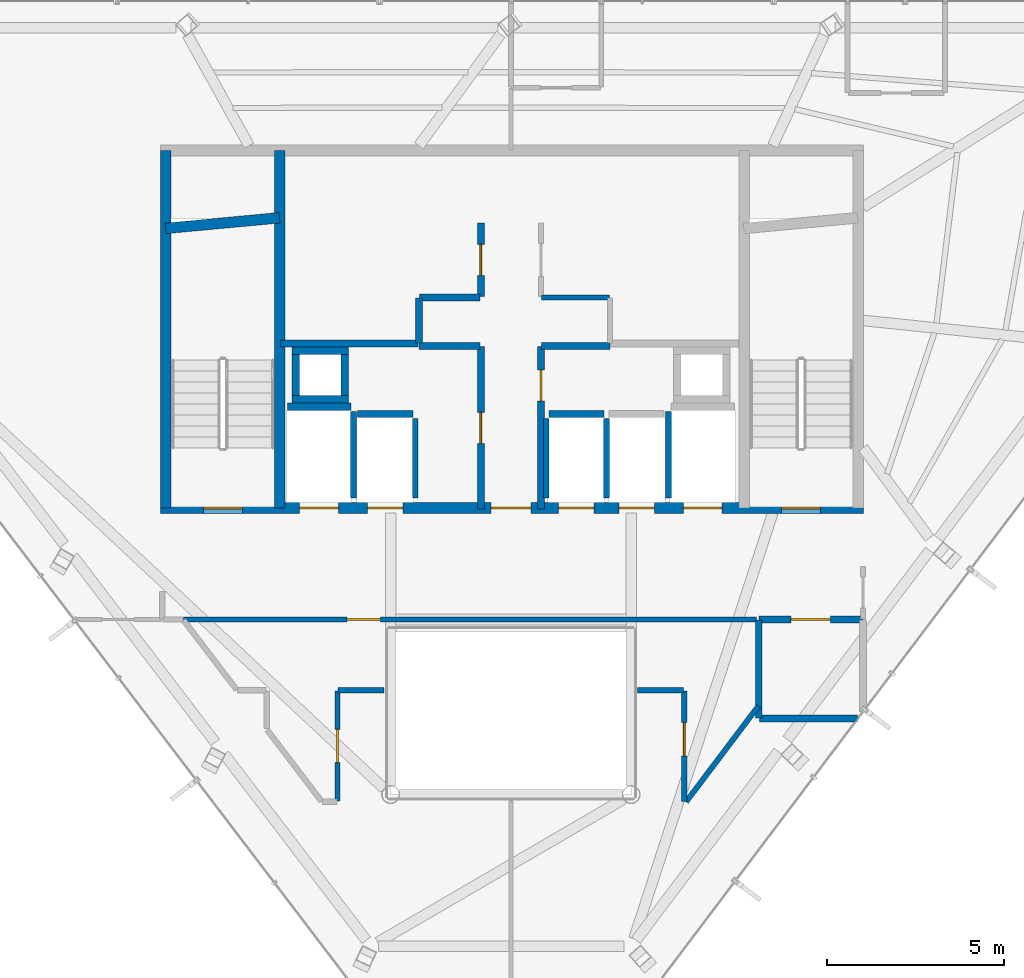
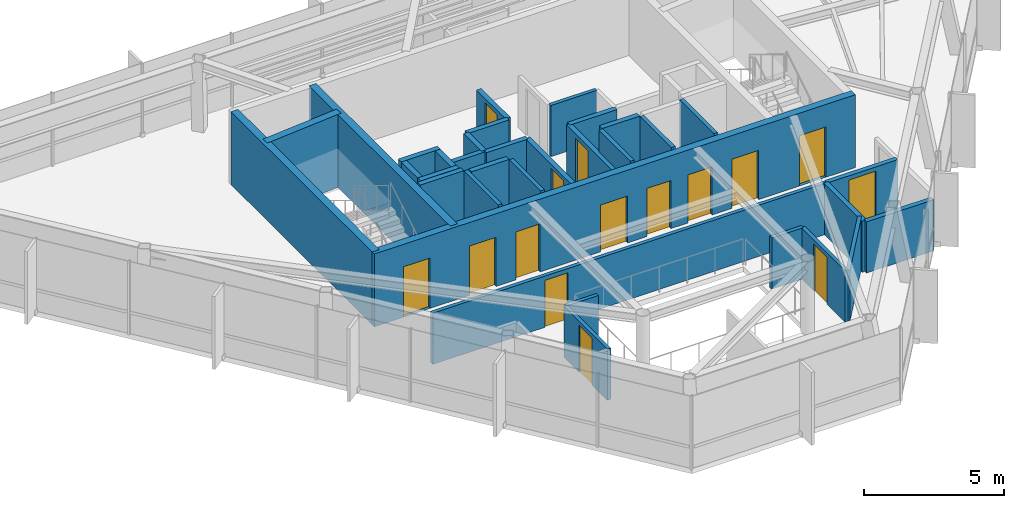
# One storey, part 19 of 21: 34 walls, 15 doors, 15 openings.
"""IFC4 building model written with IfcOpenShell, lengths in metres."""

from ifc_helpers import new_model, si_unit, direction, frame, frame_2d, origin, place, context, subcontext, project, spatial, rectangle, extrude, material, layer, layer_set, type_object, element, fill, save


model = new_model("IFC4")

# Units and contexts
model_context = context("Model", 3, precision=1e-05, world=origin(), true_north=direction((0.0, 1.0)))
body_context = subcontext(model_context, "Body", "Model", "MODEL_VIEW")
ifc_project = project(units=[si_unit("LENGTHUNIT", "METRE"), si_unit("AREAUNIT", "SQUARE_METRE"), si_unit("VOLUMEUNIT", "CUBIC_METRE"), si_unit("PLANEANGLEUNIT", "RADIAN"), si_unit("MASSUNIT", "GRAM", prefix="KILO")], contexts=[model_context])

# Site, building, storey
site_placement = place(None, origin())
site = spatial("IfcSite", under=ifc_project, at=site_placement, CompositionType="ELEMENT")
building_placement = place(site_placement, origin())
building = spatial("IfcBuilding", under=site, at=building_placement, Name="Zarrinselat Tower", CompositionType="ELEMENT")
storey_placement = place(building_placement, frame((0.0, 0.0, 285.60009765625)))
storey = spatial("IfcBuildingStorey", under=building, at=storey_placement, Name="L73", CompositionType="ELEMENT", Elevation=285.60009765625)

# Wall, opening, door
ifc_material_1 = material(Name="Concrete C40/50", Category="concrete")
ifc_layer_1 = layer(ifc_material_1, 0.18994140625)
ifc_layer_set_1 = layer_set([ifc_layer_1], Name="Concrete C40/50")
wall_type_1 = type_object("IfcWallType", Name="WAL-PART-EI120", PredefinedType="PARTITIONING", material=ifc_layer_set_1)
wall_1_placement = place(storey_placement, frame((45.405029296875, 30.14990234375, 0.0), z_axis=(0.0, 0.0, 1.0), x_axis=(1.0, 0.0, 0.0)))
wall_1 = element("IfcWall", 1, at=wall_1_placement, inside=storey, type_object=wall_type_1, Name="L73 Partition Wall 13", PredefinedType="PARTITIONING", context=body_context, shape_type="SweptSolid", body=[
    extrude(rectangle(XDim=2.925048828125, YDim=0.18994140625, at=frame_2d((1.46240234375, 0.0))), origin(), (0.0, 0.0, 1.0), 2.23486328125),
])
opening_1_placement = place(wall_1_placement, frame((0.902587890625, 0.0, 0.0)))
opening_1 = element("IfcOpeningElement", 2, at=opening_1_placement, cuts=wall_1, Name="Opening ID-02", PredefinedType="OPENING", context=body_context, shape_type="SweptSolid", body=[
    extrude(rectangle(XDim=1.1201171875, YDim=2.050048828125, at=frame_2d((0.56005859375, 1.02490234375))), frame((0.0, 0.10498046875, 0.0), z_axis=(0.0, -1.0, 0.0), x_axis=(1.0, 0.0, 0.0)), (0.0, 0.0, 1.0), 0.2099609375),
])
ifc_material_2 = material(Name="Steel S355J2", Category="steel")
door_type_1 = type_object("IfcDoorType", Name="DR-INT-FD60-W", OperationType="NOTDEFINED", PredefinedType="DOOR", material=ifc_material_2)
door_1_placement = place(opening_1_placement, origin())
door_1 = element("IfcDoor", 3, at=door_1_placement, inside=storey, type_object=door_type_1, Name="L73 Interior Door P13", OperationType="SINGLE_SWING_LEFT", OverallHeight=2.050048828125, OverallWidth=1.1201171875, PredefinedType="DOOR", context=body_context, shape_type="SweptSolid", body=[
    extrude(rectangle(XDim=1.1201171875, YDim=2.050048828125, at=frame_2d((0.56005859375, 1.02490234375))), frame((0.0, 0.02490234375, 0.0), z_axis=(0.0, -1.0, 0.0), x_axis=(1.0, 0.0, 0.0)), (0.0, 0.0, 1.0), 0.050048828125),
])
fill(opening_1, door_1)

# Walls
wall_2_placement = place(storey_placement, frame((45.39990234375, 27.3701171875, 0.0), z_axis=(0.0, 0.0, 1.0), x_axis=(0.0, 1.0, 0.0)))
element("IfcWall", 4, at=wall_2_placement, inside=storey, type_object=wall_type_1, Name="L73 Partition Wall 18", PredefinedType="PARTITIONING", context=body_context, shape_type="SweptSolid", body=[
    extrude(rectangle(XDim=2.759765625, YDim=0.18994140625, at=frame_2d((1.3798828125, 0.0))), origin(), (0.0, 0.0, 1.0), 2.23486328125),
])
wall_3_placement = place(storey_placement, frame((45.419921875, 27.35009765625, 0.0), z_axis=(0.0, 0.0, 1.0), x_axis=(1.0, 0.0, 0.0)))
element("IfcWall", 5, at=wall_3_placement, inside=storey, type_object=wall_type_1, Name="L73 Partition Wall 19", PredefinedType="PARTITIONING", context=body_context, shape_type="SweptSolid", body=[
    extrude(rectangle(XDim=2.772216796875, YDim=0.18994140625, at=frame_2d((1.38623046875, 0.0))), origin(), (0.0, 0.0, 1.0), 2.23486328125),
])
ifc_material_3 = material(Name="Fire-Rated Gypsum Board Partition", Category="gypsum")
ifc_layer_2 = layer(ifc_material_3, 0.14990234375)
ifc_layer_set_2 = layer_set([ifc_layer_2], Name="Fire-Rated Gypsum Board Partition")
wall_type_2 = type_object("IfcWallType", Name="WAL-PART-EI60", PredefinedType="PARTITIONING", material=ifc_layer_set_2)
wall_4_placement = place(storey_placement, frame((39.27001953125, 39.25, 0.0), z_axis=(0.0, 0.0, 1.0), x_axis=(1.0, 0.0, 0.0)))
element("IfcWall", 6, at=wall_4_placement, inside=storey, type_object=wall_type_2, Name="L73 Partition Wall 9", PredefinedType="PARTITIONING", context=body_context, shape_type="SweptSolid", body=[
    extrude(rectangle(XDim=1.909912109375, YDim=0.14990234375, at=frame_2d((0.955078125, 0.0))), origin(), (0.0, 0.0, 1.0), 2.23486328125),
])

# Wall, opening, door
wall_5_placement = place(storey_placement, frame((29.141357421875, 30.14990234375, 0.0), z_axis=(0.0, 0.0, 1.0), x_axis=(1.0, 0.0, 0.0)))
wall_5 = element("IfcWall", 7, at=wall_5_placement, inside=storey, type_object=wall_type_2, Name="L73 Partition Wall 14", PredefinedType="PARTITIONING", context=body_context, shape_type="SweptSolid", body=[
    extrude(rectangle(XDim=16.20361328125, YDim=0.14990234375, at=frame_2d((8.101806640625, 0.0))), origin(), (0.0, 0.0, 1.0), 2.23486328125),
])
opening_2_placement = place(wall_5_placement, frame((4.6318359375, 0.0, 0.0)))
opening_2 = element("IfcOpeningElement", 8, at=opening_2_placement, cuts=wall_5, Name="Opening ID-04", PredefinedType="OPENING", context=body_context, shape_type="SweptSolid", body=[
    extrude(rectangle(XDim=0.93994140625, YDim=2.050048828125, at=frame_2d((0.469970703125, 1.02490234375))), frame((0.0, 0.0849609375, 0.0), z_axis=(0.0, -1.0, 0.0), x_axis=(1.0, 0.0, 0.0)), (0.0, 0.0, 1.0), 0.169921875),
])
ifc_material_4 = material(Name="Fire-Rated Gypsum Board Partition")
door_type_2 = type_object("IfcDoorType", Name="DR-INT-FD30-ENT", OperationType="NOTDEFINED", PredefinedType="DOOR", material=ifc_material_4)
door_2_placement = place(opening_2_placement, origin())
door_2 = element("IfcDoor", 9, at=door_2_placement, inside=storey, type_object=door_type_2, Name="L73 Interior Door P14", OperationType="SINGLE_SWING_RIGHT", OverallHeight=2.050048828125, OverallWidth=0.93994140625, PredefinedType="DOOR", context=body_context, shape_type="SweptSolid", body=[
    extrude(rectangle(XDim=0.93994140625, YDim=2.050048828125, at=frame_2d((0.469970703125, 1.02490234375))), frame((0.0, 0.02490234375, 0.0), z_axis=(0.0, -1.0, 0.0), x_axis=(1.0, 0.0, 0.0)), (0.0, 0.0, 1.0), 0.050048828125),
])
fill(opening_2, door_2)

# Wall
wall_6_placement = place(storey_placement, frame((43.351318359375, 25.0, 0.0), z_axis=(0.0, 0.0, 1.0), x_axis=(0.602454578258, 0.798153168969, 0.0)))
element("IfcWall", 10, at=wall_6_placement, inside=storey, type_object=wall_type_2, Name="L73 Partition Wall 21", PredefinedType="PARTITIONING", context=body_context, shape_type="SweptSolid", body=[
    extrude(rectangle(XDim=3.3857421875, YDim=0.14990234375, at=frame_2d((1.69287109375, 0.0))), origin(), (0.0, 0.0, 1.0), 2.23486328125),
])

# Wall, opening, door
wall_7_placement = place(storey_placement, frame((43.300048828125, 25.0, 0.0), z_axis=(0.0, 0.0, 1.0), x_axis=(0.0, 1.0, 0.0)))
wall_7 = element("IfcWall", 11, at=wall_7_placement, inside=storey, type_object=wall_type_2, Name="L73 Partition Wall 22", PredefinedType="PARTITIONING", context=body_context, shape_type="SweptSolid", body=[
    extrude(rectangle(XDim=3.1298828125, YDim=0.14990234375, at=frame_2d((1.56494140625, 0.0))), origin(), (0.0, 0.0, 1.0), 2.23486328125),
])
opening_3_placement = place(wall_7_placement, frame((1.294921875, 0.0, 0.0)))
opening_3 = element("IfcOpeningElement", 12, at=opening_3_placement, cuts=wall_7, Name="Opening ID-04", PredefinedType="OPENING", context=body_context, shape_type="SweptSolid", body=[
    extrude(rectangle(XDim=0.93994140625, YDim=2.050048828125, at=frame_2d((0.469970703125, 1.02490234375))), frame((0.0, 0.0849609375, 0.0), z_axis=(0.0, -1.0, 0.0), x_axis=(1.0, 0.0, 0.0)), (0.0, 0.0, 1.0), 0.169921875),
])
door_3_placement = place(opening_3_placement, origin())
door_3 = element("IfcDoor", 13, at=door_3_placement, inside=storey, type_object=door_type_2, Name="L73 Interior Door P22", OperationType="SINGLE_SWING_RIGHT", OverallHeight=2.050048828125, OverallWidth=0.93994140625, PredefinedType="DOOR", context=body_context, shape_type="SweptSolid", body=[
    extrude(rectangle(XDim=0.93994140625, YDim=2.050048828125, at=frame_2d((0.469970703125, 1.02490234375))), frame((0.0, 0.02490234375, 0.0), z_axis=(0.0, -1.0, 0.0), x_axis=(1.0, 0.0, 0.0)), (0.0, 0.0, 1.0), 0.050048828125),
])
fill(opening_3, door_3)

# Walls
for number, where, z_axis, x_axis, name in (
    (14, (41.97998046875, 28.14990234375, 0.0), (0.0, 0.0, 1.0), (1.0, 0.0, 0.0), "L73 Partition Wall 23"),
    (15, (33.52001953125, 28.14990234375, 0.0), (0.0, 0.0, 1.0), (1.0, 0.0, 0.0), "L73 Partition Wall 24"),
):
    element("IfcWall", number, at=place(storey_placement, frame(where, z_axis=z_axis, x_axis=x_axis)), inside=storey, type_object=wall_type_2, Name=name, PredefinedType="PARTITIONING", context=body_context, shape_type="SweptSolid", body=[
        extrude(rectangle(XDim=1.300048828125, YDim=0.14990234375, at=frame_2d((0.64990234375, 0.0))), origin(), (0.0, 0.0, 1.0), 2.23486328125),
    ])

# Wall, opening, door
wall_8_placement = place(storey_placement, frame((33.5, 25.02001953125, 0.0), z_axis=(0.0, 0.0, 1.0), x_axis=(0.0, 1.0, 0.0)))
wall_8 = element("IfcWall", 16, at=wall_8_placement, inside=storey, type_object=wall_type_2, Name="L73 Partition Wall 25", PredefinedType="PARTITIONING", context=body_context, shape_type="SweptSolid", body=[
    extrude(rectangle(XDim=3.10986328125, YDim=0.14990234375, at=frame_2d((1.554931640625, 0.0))), origin(), (0.0, 0.0, 1.0), 2.23486328125),
])
opening_4_placement = place(wall_8_placement, frame((1.0849609375, 0.0, 0.0)))
opening_4 = element("IfcOpeningElement", 17, at=opening_4_placement, cuts=wall_8, Name="Opening ID-04", PredefinedType="OPENING", context=body_context, shape_type="SweptSolid", body=[
    extrude(rectangle(XDim=0.93994140625, YDim=2.050048828125, at=frame_2d((0.469970703125, 1.02490234375))), frame((0.0, 0.0849609375, 0.0), z_axis=(0.0, -1.0, 0.0), x_axis=(1.0, 0.0, 0.0)), (0.0, 0.0, 1.0), 0.169921875),
])
door_4_placement = place(opening_4_placement, origin())
door_4 = element("IfcDoor", 18, at=door_4_placement, inside=storey, type_object=door_type_2, Name="L73 Interior Door P25", OperationType="SINGLE_SWING_LEFT", OverallHeight=2.050048828125, OverallWidth=0.93994140625, PredefinedType="DOOR", context=body_context, shape_type="SweptSolid", body=[
    extrude(rectangle(XDim=0.93994140625, YDim=2.050048828125, at=frame_2d((0.469970703125, 1.02490234375))), frame((0.0, 0.02490234375, 0.0), z_axis=(0.0, -1.0, 0.0), x_axis=(1.0, 0.0, 0.0)), (0.0, 0.0, 1.0), 0.050048828125),
])
fill(opening_4, door_4)

ifc_material_5 = material(Name="Concrete C40/50", Category="concrete")
ifc_layer_3 = layer(ifc_material_5, 0.199951171875)
ifc_layer_set_3 = layer_set([ifc_layer_3], Name="Concrete C40/50")
wall_type_3 = type_object("IfcWallType", Name="WAL-PART-PLANT", PredefinedType="PARTITIONING", material=ifc_layer_set_3)
wall_9_placement = place(storey_placement, frame((37.550048828125, 33.264892578125, 0.0), z_axis=(0.0, 0.0, 1.0), x_axis=(0.0, 1.0, 0.0)))
wall_9 = element("IfcWall", 19, at=wall_9_placement, inside=storey, type_object=wall_type_3, Name="L73 Partition Wall 1", PredefinedType="PARTITIONING", context=body_context, shape_type="SweptSolid", body=[
    extrude(rectangle(XDim=4.59521484375, YDim=0.199951171875, at=frame_2d((2.297607421875, 0.0))), origin(), (0.0, 0.0, 1.0), 2.23486328125),
])
opening_5_placement = place(wall_9_placement, frame((1.857421875, 0.0, 0.0)))
opening_5 = element("IfcOpeningElement", 20, at=opening_5_placement, cuts=wall_9, Name="Opening ID-03", PredefinedType="OPENING", context=body_context, shape_type="SweptSolid", body=[
    extrude(rectangle(XDim=0.8798828125, YDim=2.050048828125, at=frame_2d((0.43994140625, 1.02490234375))), frame((0.0, 0.10986328125, 0.0), z_axis=(0.0, -1.0, 0.0), x_axis=(1.0, 0.0, 0.0)), (0.0, 0.0, 1.0), 0.219970703125),
])
ifc_material_6 = material(Name="Steel S355J2", Category="steel")
door_type_3 = type_object("IfcDoorType", Name="DR-INT-FD60-S", OperationType="NOTDEFINED", PredefinedType="DOOR", material=ifc_material_6)
door_5_placement = place(opening_5_placement, origin())
door_5 = element("IfcDoor", 21, at=door_5_placement, inside=storey, type_object=door_type_3, Name="L73 Interior Door P1", OperationType="SINGLE_SWING_LEFT", OverallHeight=2.050048828125, OverallWidth=0.8798828125, PredefinedType="DOOR", context=body_context, shape_type="SweptSolid", body=[
    extrude(rectangle(XDim=0.8798828125, YDim=2.050048828125, at=frame_2d((0.43994140625, 1.02490234375))), frame((0.0, 0.02490234375, 0.0), z_axis=(0.0, -1.0, 0.0), x_axis=(1.0, 0.0, 0.0)), (0.0, 0.0, 1.0), 0.050048828125),
])
fill(opening_5, door_5)

# Walls
wall_10_placement = place(storey_placement, frame((35.800048828125, 37.8798828125, 0.0), z_axis=(0.0, 0.0, 1.0), x_axis=(1.0, 0.0, 0.0)))
element("IfcWall", 22, at=wall_10_placement, inside=storey, type_object=wall_type_3, Name="L73 Partition Wall 2", PredefinedType="PARTITIONING", context=body_context, shape_type="SweptSolid", body=[
    extrude(rectangle(XDim=1.72998046875, YDim=0.199951171875, at=frame_2d((0.864990234375, 0.0))), origin(), (0.0, 0.0, 1.0), 2.23486328125),
])
wall_11_placement = place(storey_placement, frame((35.800048828125, 37.955078125, 0.0), z_axis=(0.0, 0.0, 1.0), x_axis=(0.0, 1.0, 0.0)))
element("IfcWall", 23, at=wall_11_placement, inside=storey, type_object=wall_type_3, Name="L73 Partition Wall 3", PredefinedType="PARTITIONING", context=body_context, shape_type="SweptSolid", body=[
    extrude(rectangle(XDim=1.27490234375, YDim=0.199951171875, at=frame_2d((0.637451171875, 0.0))), origin(), (0.0, 0.0, 1.0), 2.23486328125),
])
wall_12_placement = place(storey_placement, frame((35.820068359375, 39.25, 0.0), z_axis=(0.0, 0.0, 1.0), x_axis=(1.0, 0.0, 0.0)))
element("IfcWall", 24, at=wall_12_placement, inside=storey, type_object=wall_type_3, Name="L73 Partition Wall 4", PredefinedType="PARTITIONING", context=body_context, shape_type="SweptSolid", body=[
    extrude(rectangle(XDim=1.7099609375, YDim=0.199951171875, at=frame_2d((0.85498046875, 0.0))), origin(), (0.0, 0.0, 1.0), 2.23486328125),
])

# Wall, opening, door
wall_13_placement = place(storey_placement, frame((37.550048828125, 39.27001953125, 0.0), z_axis=(0.0, 0.0, 1.0), x_axis=(0.0, 1.0, 0.0)))
wall_13 = element("IfcWall", 25, at=wall_13_placement, inside=storey, type_object=wall_type_3, Name="L73 Partition Wall 5", PredefinedType="PARTITIONING", context=body_context, shape_type="SweptSolid", body=[
    extrude(rectangle(XDim=2.080078125, YDim=0.199951171875, at=frame_2d((1.0400390625, 0.0))), origin(), (0.0, 0.0, 1.0), 2.23486328125),
])
opening_6_placement = place(wall_13_placement, frame((0.60009765625, 0.0, 0.0)))
opening_6 = element("IfcOpeningElement", 26, at=opening_6_placement, cuts=wall_13, Name="Opening ID-03", PredefinedType="OPENING", context=body_context, shape_type="SweptSolid", body=[
    extrude(rectangle(XDim=0.8798828125, YDim=2.050048828125, at=frame_2d((0.43994140625, 1.02490234375))), frame((0.0, 0.10986328125, 0.0), z_axis=(0.0, -1.0, 0.0), x_axis=(1.0, 0.0, 0.0)), (0.0, 0.0, 1.0), 0.219970703125),
])
door_6_placement = place(opening_6_placement, origin())
door_6 = element("IfcDoor", 27, at=door_6_placement, inside=storey, type_object=door_type_3, Name="L73 Interior Door P5", OperationType="SINGLE_SWING_RIGHT", OverallHeight=2.050048828125, OverallWidth=0.8798828125, PredefinedType="DOOR", context=body_context, shape_type="SweptSolid", body=[
    extrude(rectangle(XDim=0.8798828125, YDim=2.050048828125, at=frame_2d((0.43994140625, 1.02490234375))), frame((0.0, 0.02490234375, 0.0), z_axis=(0.0, -1.0, 0.0), x_axis=(1.0, 0.0, 0.0)), (0.0, 0.0, 1.0), 0.050048828125),
])
fill(opening_6, door_6)

# Wall
wall_14_placement = place(storey_placement, frame((39.27001953125, 37.8798828125, 0.0), z_axis=(0.0, 0.0, 1.0), x_axis=(1.0, 0.0, 0.0)))
element("IfcWall", 28, at=wall_14_placement, inside=storey, type_object=wall_type_3, Name="L73 Partition Wall 6", PredefinedType="PARTITIONING", context=body_context, shape_type="SweptSolid", body=[
    extrude(rectangle(XDim=1.929931640625, YDim=0.199951171875, at=frame_2d((0.96484375, 0.0))), origin(), (0.0, 0.0, 1.0), 2.23486328125),
])

# Wall, opening, door
wall_15_placement = place(storey_placement, frame((39.25, 33.264892578125, 0.0), z_axis=(0.0, 0.0, 1.0), x_axis=(0.0, 1.0, 0.0)))
wall_15 = element("IfcWall", 29, at=wall_15_placement, inside=storey, type_object=wall_type_3, Name="L73 Partition Wall 7", PredefinedType="PARTITIONING", context=body_context, shape_type="SweptSolid", body=[
    extrude(rectangle(XDim=4.59521484375, YDim=0.199951171875, at=frame_2d((2.297607421875, 0.0))), origin(), (0.0, 0.0, 1.0), 2.23486328125),
])
opening_7_placement = place(wall_15_placement, frame((3.0576171875, 0.0, 0.0)))
opening_7 = element("IfcOpeningElement", 30, at=opening_7_placement, cuts=wall_15, Name="Opening ID-03", PredefinedType="OPENING", context=body_context, shape_type="SweptSolid", body=[
    extrude(rectangle(XDim=0.8798828125, YDim=2.050048828125, at=frame_2d((0.43994140625, 1.02490234375))), frame((0.0, 0.10986328125, 0.0), z_axis=(0.0, -1.0, 0.0), x_axis=(1.0, 0.0, 0.0)), (0.0, 0.0, 1.0), 0.219970703125),
])
door_7_placement = place(opening_7_placement, origin())
door_7 = element("IfcDoor", 31, at=door_7_placement, inside=storey, type_object=door_type_3, Name="L73 Interior Door P7", OperationType="SINGLE_SWING_LEFT", OverallHeight=2.050048828125, OverallWidth=0.8798828125, PredefinedType="DOOR", context=body_context, shape_type="SweptSolid", body=[
    extrude(rectangle(XDim=0.8798828125, YDim=2.050048828125, at=frame_2d((0.43994140625, 1.02490234375))), frame((0.0, 0.02490234375, 0.0), z_axis=(0.0, -1.0, 0.0), x_axis=(1.0, 0.0, 0.0)), (0.0, 0.0, 1.0), 0.050048828125),
])
fill(opening_7, door_7)

# Walls
wall_16_placement = place(storey_placement, frame((31.885009765625, 37.949951171875, 0.0), z_axis=(0.0, 0.0, 1.0), x_axis=(1.0, 0.0, 0.0)))
element("IfcWall", 32, at=wall_16_placement, inside=storey, type_object=wall_type_3, Name="L73 Partition Wall 11", PredefinedType="PARTITIONING", context=body_context, shape_type="SweptSolid", body=[
    extrude(rectangle(XDim=3.89501953125, YDim=0.199951171875, at=frame_2d((1.947509765625, 0.0))), origin(), (0.0, 0.0, 1.0), 2.23486328125),
])
ifc_material_7 = material(Name="Concrete C40/50", Category="concrete")
ifc_layer_4 = layer(ifc_material_7, 0.2099609375)
ifc_layer_set_4 = layer_set([ifc_layer_4], Name="Concrete C40/50")
wall_type_4 = type_object("IfcWallType", Name="WAL-SHAFT-210", PredefinedType="SOLIDWALL", material=ifc_layer_set_4)
wall_17_placement = place(storey_placement, frame((32.080078125, 36.155029296875, 0.0), z_axis=(0.0, 0.0, 1.0), x_axis=(1.0, 0.0, 0.0)))
element("IfcWall", 33, at=wall_17_placement, inside=storey, type_object=wall_type_4, Name="L73 Lift FFL1 North Shaft Wall", PredefinedType="SOLIDWALL", context=body_context, shape_type="SweptSolid", body=[
    extrude(rectangle(XDim=1.7998046875, YDim=0.2099609375, at=frame_2d((0.89990234375, 0.0))), origin(), (0.0, 0.0, 1.0), 3.179931640625),
])
for number, where, z_axis, x_axis, name in (
    (34, (33.949951171875, 33.580078125, 0.0), (0.0, 0.0, 1.0), (0.0, 1.0, 0.0), "L73 Lift FFL1 E Shaft Wall"),
    (35, (42.85009765625, 33.580078125, 0.0), (0.0, 0.0, 1.0), (0.0, 1.0, 0.0), "L73 Lift FFL2 W Shaft Wall"),
):
    element("IfcWall", number, at=place(storey_placement, frame(where, z_axis=z_axis, x_axis=x_axis)), inside=storey, type_object=wall_type_4, Name=name, PredefinedType="SOLIDWALL", context=body_context, shape_type="SweptSolid", body=[
        extrude(rectangle(XDim=2.449951171875, YDim=0.159912109375, at=frame_2d((1.22509765625, 0.0))), origin(), (0.0, 0.0, 1.0), 3.179931640625),
    ])
wall_18_placement = place(storey_placement, frame((39.469970703125, 35.955078125, 0.0), z_axis=(0.0, 0.0, 1.0), x_axis=(1.0, 0.0, 0.0)))
element("IfcWall", 36, at=wall_18_placement, inside=storey, type_object=wall_type_4, Name="L73 Lift PL8 North Shaft Wall", PredefinedType="SOLIDWALL", context=body_context, shape_type="SweptSolid", body=[
    extrude(rectangle(XDim=1.56005859375, YDim=0.2099609375, at=frame_2d((0.780029296875, 0.0))), origin(), (0.0, 0.0, 1.0), 3.179931640625),
])
for number, where, z_axis, x_axis, name in (
    (37, (39.39990234375, 33.580078125, 0.0), (0.0, 0.0, 1.0), (0.0, 1.0, 0.0), "L73 Lift PL8 W Shaft Wall"),
    (38, (41.10009765625, 33.580078125, 0.0), (0.0, 0.0, 1.0), (0.0, 1.0, 0.0), "L73 Lift PL8 E Shaft Wall"),
):
    element("IfcWall", number, at=place(storey_placement, frame(where, z_axis=z_axis, x_axis=x_axis)), inside=storey, type_object=wall_type_4, Name=name, PredefinedType="SOLIDWALL", context=body_context, shape_type="SweptSolid", body=[
        extrude(rectangle(XDim=2.25, YDim=0.159912109375, at=frame_2d((1.125, 0.0))), origin(), (0.0, 0.0, 1.0), 3.179931640625),
    ])
wall_19_placement = place(storey_placement, frame((34.070068359375, 35.955078125, 0.0), z_axis=(0.0, 0.0, 1.0), x_axis=(1.0, 0.0, 0.0)))
element("IfcWall", 39, at=wall_19_placement, inside=storey, type_object=wall_type_4, Name="L73 Lift PL10 North Shaft Wall", PredefinedType="SOLIDWALL", context=body_context, shape_type="SweptSolid", body=[
    extrude(rectangle(XDim=1.559814453125, YDim=0.2099609375, at=frame_2d((0.77978515625, 0.0))), origin(), (0.0, 0.0, 1.0), 3.179931640625),
])
wall_20_placement = place(storey_placement, frame((35.699951171875, 33.580078125, 0.0), z_axis=(0.0, 0.0, 1.0), x_axis=(0.0, 1.0, 0.0)))
element("IfcWall", 40, at=wall_20_placement, inside=storey, type_object=wall_type_4, Name="L73 Lift PL10 E Shaft Wall", PredefinedType="SOLIDWALL", context=body_context, shape_type="SweptSolid", body=[
    extrude(rectangle(XDim=2.25, YDim=0.159912109375, at=frame_2d((1.125, 0.0))), origin(), (0.0, 0.0, 1.0), 3.179931640625),
])
for number, where, z_axis, x_axis, name in (
    (41, (32.2099609375, 36.375, 0.0), (0.0, 0.0, 1.0), (1.0, 0.0, 0.0), "L73 Core Riser RSR-W S Shaft Wall"),
    (42, (32.2099609375, 37.7451171875, 0.0), (0.0, 0.0, 1.0), (1.0, 0.0, 0.0), "L73 Core Riser RSR-W N Shaft Wall"),
):
    element("IfcWall", number, at=place(storey_placement, frame(where, z_axis=z_axis, x_axis=x_axis)), inside=storey, type_object=wall_type_4, Name=name, PredefinedType="SOLIDWALL", context=body_context, shape_type="SweptSolid", body=[
        extrude(rectangle(XDim=1.60009765625, YDim=0.2099609375, at=frame_2d((0.800048828125, 0.0))), origin(), (0.0, 0.0, 1.0), 3.179931640625),
    ])
for number, where, z_axis, x_axis, name in (
    (43, (32.31494140625, 36.485107421875, 0.0), (0.0, 0.0, 1.0), (0.0, 1.0, 0.0), "L73 Core Riser RSR-W W Shaft Wall"),
    (44, (33.705078125, 36.485107421875, 0.0), (0.0, 0.0, 1.0), (0.0, 1.0, 0.0), "L73 Core Riser RSR-W E Shaft Wall"),
):
    element("IfcWall", number, at=place(storey_placement, frame(where, z_axis=z_axis, x_axis=x_axis)), inside=storey, type_object=wall_type_4, Name=name, PredefinedType="SOLIDWALL", context=body_context, shape_type="SweptSolid", body=[
        extrude(rectangle(XDim=1.14990234375, YDim=0.2099609375, at=frame_2d((0.574951171875, 0.0))), origin(), (0.0, 0.0, 1.0), 3.179931640625),
    ])

# Wall, openings, doors
ifc_material_8 = material(Name="Concrete C40/50", Category="concrete")
ifc_layer_5 = layer(ifc_material_8, 0.300048828125)
ifc_layer_set_5 = layer_set([ifc_layer_5], Name="Concrete C40/50")
wall_type_5 = type_object("IfcWallType", Name="WAL-SHEAR-300", PredefinedType="SHEAR", material=ifc_layer_set_5)
wall_21_placement = place(storey_placement, frame((28.5, 33.300048828125, 0.0), z_axis=(0.0, 0.0, 1.0), x_axis=(1.0, 0.0, 0.0)))
wall_21 = element("IfcWall", 45, at=wall_21_placement, inside=storey, type_object=wall_type_5, Name="L73 South Core Shear Wall", PredefinedType="SHEAR", context=body_context, shape_type="SweptSolid", body=[
    extrude(rectangle(XDim=19.860107421875, YDim=0.300048828125, at=frame_2d((9.93017578125, 0.0))), origin(), (0.0, 0.0, 1.0), 3.179931640625),
])
opening_8_placement = place(wall_21_placement, frame((3.929931640625, 0.0, 0.0)))
opening_8 = element("IfcOpeningElement", 46, at=opening_8_placement, cuts=wall_21, Name="Opening LD-FFL1", PredefinedType="OPENING", context=body_context, shape_type="SweptSolid", body=[
    extrude(rectangle(XDim=1.10009765625, YDim=2.14990234375, at=frame_2d((0.550048828125, 1.074951171875))), frame((0.0, 0.159912109375, 0.0), z_axis=(0.0, -1.0, 0.0), x_axis=(1.0, 0.0, 0.0)), (0.0, 0.0, 1.0), 0.320068359375),
])
opening_9_placement = place(wall_21_placement, frame((14.77001953125, 0.0, 0.0)))
opening_9 = element("IfcOpeningElement", 47, at=opening_9_placement, cuts=wall_21, Name="Opening LD-FFL2", PredefinedType="OPENING", context=body_context, shape_type="SweptSolid", body=[
    extrude(rectangle(XDim=1.10009765625, YDim=2.14990234375, at=frame_2d((0.550048828125, 1.074951171875))), frame((0.0, 0.159912109375, 0.0), z_axis=(0.0, -1.0, 0.0), x_axis=(1.0, 0.0, 0.0)), (0.0, 0.0, 1.0), 0.320068359375),
])
opening_10_placement = place(wall_21_placement, frame((11.25, 0.0, 0.0)))
opening_10 = element("IfcOpeningElement", 48, at=opening_10_placement, cuts=wall_21, Name="Opening LD-PL8", PredefinedType="OPENING", context=body_context, shape_type="SweptSolid", body=[
    extrude(rectangle(XDim=1.0, YDim=2.10009765625, at=frame_2d((0.5, 1.050048828125))), frame((0.0, 0.159912109375, 0.0), z_axis=(0.0, -1.0, 0.0), x_axis=(1.0, 0.0, 0.0)), (0.0, 0.0, 1.0), 0.320068359375),
])
opening_11_placement = place(wall_21_placement, frame((12.949951171875, 0.0, 0.0)))
opening_11 = element("IfcOpeningElement", 49, at=opening_11_placement, cuts=wall_21, Name="Opening LD-PL9", PredefinedType="OPENING", context=body_context, shape_type="SweptSolid", body=[
    extrude(rectangle(XDim=1.0, YDim=2.10009765625, at=frame_2d((0.5, 1.050048828125))), frame((0.0, 0.159912109375, 0.0), z_axis=(0.0, -1.0, 0.0), x_axis=(1.0, 0.0, 0.0)), (0.0, 0.0, 1.0), 0.320068359375),
])
opening_12_placement = place(wall_21_placement, frame((5.85009765625, 0.0, 0.0)))
opening_12 = element("IfcOpeningElement", 50, at=opening_12_placement, cuts=wall_21, Name="Opening LD-PL10", PredefinedType="OPENING", context=body_context, shape_type="SweptSolid", body=[
    extrude(rectangle(XDim=1.0, YDim=2.10009765625, at=frame_2d((0.5, 1.050048828125))), frame((0.0, 0.159912109375, 0.0), z_axis=(0.0, -1.0, 0.0), x_axis=(1.0, 0.0, 0.0)), (0.0, 0.0, 1.0), 0.320068359375),
])
opening_13_placement = place(wall_21_placement, frame((1.2099609375, 0.0, 0.0)))
opening_13 = element("IfcOpeningElement", 51, at=opening_13_placement, cuts=wall_21, Name="Opening SD-01", PredefinedType="OPENING", context=body_context, shape_type="SweptSolid", body=[
    extrude(rectangle(XDim=1.10009765625, YDim=2.199951171875, at=frame_2d((0.550048828125, 1.10009765625))), frame((0.0, 0.159912109375, 0.0), z_axis=(0.0, -1.0, 0.0), x_axis=(1.0, 0.0, 0.0)), (0.0, 0.0, 1.0), 0.320068359375),
])
opening_14_placement = place(wall_21_placement, frame((9.340087890625, 0.0, 0.0)))
opening_14 = element("IfcOpeningElement", 52, at=opening_14_placement, cuts=wall_21, Name="Opening ID-02", PredefinedType="OPENING", context=body_context, shape_type="SweptSolid", body=[
    extrude(rectangle(XDim=1.1201171875, YDim=2.050048828125, at=frame_2d((0.56005859375, 1.02490234375))), frame((0.0, 0.159912109375, 0.0), z_axis=(0.0, -1.0, 0.0), x_axis=(1.0, 0.0, 0.0)), (0.0, 0.0, 1.0), 0.320068359375),
])
opening_15_placement = place(wall_21_placement, frame((17.550048828125, 0.0, 0.0)))
opening_15 = element("IfcOpeningElement", 53, at=opening_15_placement, cuts=wall_21, Name="Opening SD-01", PredefinedType="OPENING", context=body_context, shape_type="SweptSolid", body=[
    extrude(rectangle(XDim=1.10009765625, YDim=2.199951171875, at=frame_2d((0.550048828125, 1.10009765625))), frame((0.0, 0.159912109375, 0.0), z_axis=(0.0, -1.0, 0.0), x_axis=(1.0, 0.0, 0.0)), (0.0, 0.0, 1.0), 0.320068359375),
])
door_8_placement = place(opening_14_placement, origin())
door_8 = element("IfcDoor", 54, at=door_8_placement, inside=storey, type_object=door_type_1, Name="L73 Core Service Vestibule Fire Door", OperationType="SINGLE_SWING_LEFT", OverallHeight=2.050048828125, OverallWidth=1.1201171875, PredefinedType="DOOR", context=body_context, shape_type="SweptSolid", body=[
    extrude(rectangle(XDim=1.1201171875, YDim=2.050048828125, at=frame_2d((0.56005859375, 1.02490234375))), frame((0.0, 0.02490234375, 0.0), z_axis=(0.0, -1.0, 0.0), x_axis=(1.0, 0.0, 0.0)), (0.0, 0.0, 1.0), 0.050048828125),
])
fill(opening_14, door_8)
ifc_material_9 = material(Name="Steel S355J2", Category="steel")
door_type_4 = type_object("IfcDoorType", Name="DR-LIFT-FF-1100", OperationType="NOTDEFINED", PredefinedType="DOOR", material=ifc_material_9)
door_9_placement = place(opening_8_placement, origin())
door_9 = element("IfcDoor", 55, at=door_9_placement, inside=storey, type_object=door_type_4, Name="L73 Lift FFL1 Sliding Landing Door", OperationType="SLIDING_TO_LEFT", OverallHeight=2.14990234375, OverallWidth=1.10009765625, PredefinedType="DOOR", context=body_context, shape_type="SweptSolid", body=[
    extrude(rectangle(XDim=1.10009765625, YDim=2.14990234375, at=frame_2d((0.550048828125, 1.074951171875))), frame((0.0, 0.02490234375, 0.0), z_axis=(0.0, -1.0, 0.0), x_axis=(1.0, 0.0, 0.0)), (0.0, 0.0, 1.0), 0.050048828125),
])
fill(opening_8, door_9)
door_10_placement = place(opening_9_placement, origin())
door_10 = element("IfcDoor", 56, at=door_10_placement, inside=storey, type_object=door_type_4, Name="L73 Lift FFL2 Sliding Landing Door", OperationType="SLIDING_TO_RIGHT", OverallHeight=2.14990234375, OverallWidth=1.10009765625, PredefinedType="DOOR", context=body_context, shape_type="SweptSolid", body=[
    extrude(rectangle(XDim=1.10009765625, YDim=2.14990234375, at=frame_2d((0.550048828125, 1.074951171875))), frame((0.0, 0.02490234375, 0.0), z_axis=(0.0, -1.0, 0.0), x_axis=(1.0, 0.0, 0.0)), (0.0, 0.0, 1.0), 0.050048828125),
])
fill(opening_9, door_10)
ifc_material_10 = material(Name="Steel S355J2", Category="steel")
door_type_5 = type_object("IfcDoorType", Name="DR-LIFT-PS-1000", OperationType="NOTDEFINED", PredefinedType="DOOR", material=ifc_material_10)
door_11_placement = place(opening_10_placement, origin())
door_11 = element("IfcDoor", 57, at=door_11_placement, inside=storey, type_object=door_type_5, Name="L73 Lift PL8 Sliding Landing Door", OperationType="SLIDING_TO_RIGHT", OverallHeight=2.10009765625, OverallWidth=1.0, PredefinedType="DOOR", context=body_context, shape_type="SweptSolid", body=[
    extrude(rectangle(XDim=1.0, YDim=2.10009765625, at=frame_2d((0.5, 1.050048828125))), frame((0.0, 0.02490234375, 0.0), z_axis=(0.0, -1.0, 0.0), x_axis=(1.0, 0.0, 0.0)), (0.0, 0.0, 1.0), 0.050048828125),
])
fill(opening_10, door_11)
door_12_placement = place(opening_11_placement, origin())
door_12 = element("IfcDoor", 58, at=door_12_placement, inside=storey, type_object=door_type_5, Name="L73 Lift PL9 Sliding Landing Door", OperationType="SLIDING_TO_LEFT", OverallHeight=2.10009765625, OverallWidth=1.0, PredefinedType="DOOR", context=body_context, shape_type="SweptSolid", body=[
    extrude(rectangle(XDim=1.0, YDim=2.10009765625, at=frame_2d((0.5, 1.050048828125))), frame((0.0, 0.02490234375, 0.0), z_axis=(0.0, -1.0, 0.0), x_axis=(1.0, 0.0, 0.0)), (0.0, 0.0, 1.0), 0.050048828125),
])
fill(opening_11, door_12)
door_13_placement = place(opening_12_placement, origin())
door_13 = element("IfcDoor", 59, at=door_13_placement, inside=storey, type_object=door_type_5, Name="L73 Lift PL10 Sliding Landing Door", OperationType="SLIDING_TO_RIGHT", OverallHeight=2.10009765625, OverallWidth=1.0, PredefinedType="DOOR", context=body_context, shape_type="SweptSolid", body=[
    extrude(rectangle(XDim=1.0, YDim=2.10009765625, at=frame_2d((0.5, 1.050048828125))), frame((0.0, 0.02490234375, 0.0), z_axis=(0.0, -1.0, 0.0), x_axis=(1.0, 0.0, 0.0)), (0.0, 0.0, 1.0), 0.050048828125),
])
fill(opening_12, door_13)
ifc_material_11 = material(Name="Steel S355J2", Category="steel")
door_type_6 = type_object("IfcDoorType", Name="DR-STAIR-1100", OperationType="NOTDEFINED", PredefinedType="DOOR", material=ifc_material_11)
door_14_placement = place(opening_13_placement, origin())
door_14 = element("IfcDoor", 60, at=door_14_placement, inside=storey, type_object=door_type_6, Name="L73 Exit Stair 1 Fire Door", OperationType="SINGLE_SWING_LEFT", OverallHeight=2.199951171875, OverallWidth=1.10009765625, PredefinedType="DOOR", context=body_context, shape_type="SweptSolid", body=[
    extrude(rectangle(XDim=1.10009765625, YDim=2.199951171875, at=frame_2d((0.550048828125, 1.10009765625))), frame((0.0, 0.02490234375, 0.0), z_axis=(0.0, -1.0, 0.0), x_axis=(1.0, 0.0, 0.0)), (0.0, 0.0, 1.0), 0.050048828125),
])
fill(opening_13, door_14)
door_15_placement = place(opening_15_placement, origin())
door_15 = element("IfcDoor", 61, at=door_15_placement, inside=storey, type_object=door_type_6, Name="L73 Exit Stair 2 Fire Door", OperationType="SINGLE_SWING_RIGHT", OverallHeight=2.199951171875, OverallWidth=1.10009765625, PredefinedType="DOOR", context=body_context, shape_type="SweptSolid", body=[
    extrude(rectangle(XDim=1.10009765625, YDim=2.199951171875, at=frame_2d((0.550048828125, 1.10009765625))), frame((0.0, 0.02490234375, 0.0), z_axis=(0.0, -1.0, 0.0), x_axis=(1.0, 0.0, 0.0)), (0.0, 0.0, 1.0), 0.050048828125),
])
fill(opening_15, door_15)

# Walls
for number, where, z_axis, x_axis, name in (
    (62, (28.64990234375, 33.300048828125, 0.0), (0.0, 0.0, 1.0), (0.0, 1.0, 0.0), "L73 Core Shear Wall W"),
    (63, (31.8701171875, 33.300048828125, 0.0), (0.0, 0.0, 1.0), (0.0, 1.0, 0.0), "L73 Core Shear Wall ST1E"),
):
    element("IfcWall", number, at=place(storey_placement, frame(where, z_axis=z_axis, x_axis=x_axis)), inside=storey, type_object=wall_type_5, Name=name, PredefinedType="SHEAR", context=body_context, shape_type="SweptSolid", body=[
        extrude(rectangle(XDim=10.099853515625, YDim=0.300048828125, at=frame_2d((5.0498046875, 0.0))), origin(), (0.0, 0.0, 1.0), 3.179931640625),
    ])
wall_22_placement = place(storey_placement, frame((28.639892578125, 41.199951171875, 0.0), z_axis=(0.0, 0.0, 1.0), x_axis=(0.995687118776, 0.092774789157, 0.0)))
element("IfcWall", 64, at=wall_22_placement, inside=storey, type_object=wall_type_5, Name="L73 Stair 1 North Shaft Wall", PredefinedType="SHEAR", context=body_context, shape_type="SweptSolid", body=[
    extrude(rectangle(XDim=3.234130859375, YDim=0.300048828125, at=frame_2d((1.6171875, 0.0))), origin(), (0.0, 0.0, 1.0), 3.179931640625),
])

save(model, "model.ifc")
